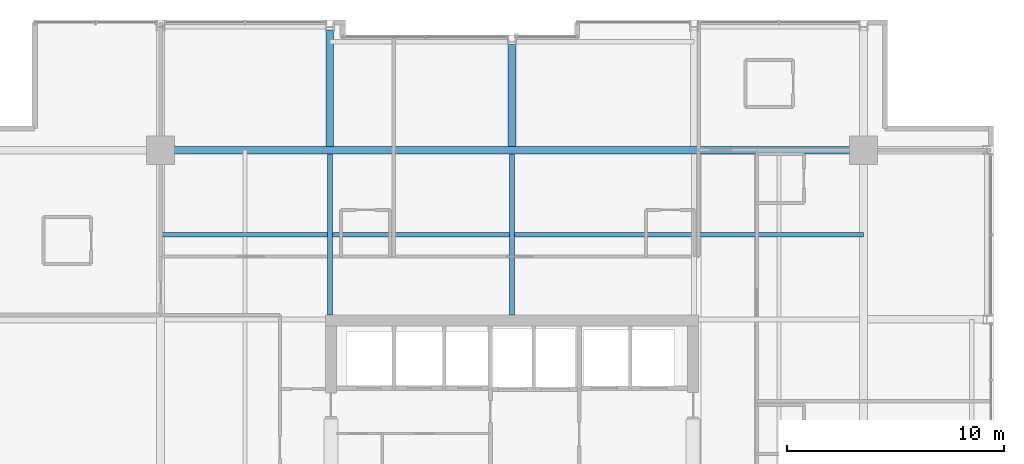
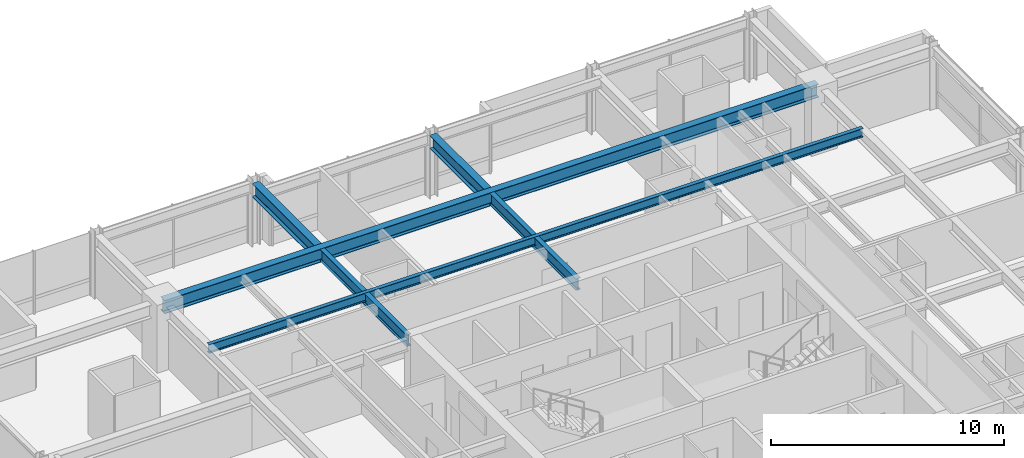
# One storey, part 20 of 33: 6 beams.
"""IFC4 building model written with IfcOpenShell, lengths in metres."""

from ifc_helpers import new_model, si_unit, direction, frame, origin, origin_2d, place, context, subcontext, project, spatial, i_section, extrude, material, material_profile, profile_set, type_object, element, save


model = new_model("IFC4")

# Units and contexts
model_context = context("Model", 3, precision=1e-05, world=origin(), true_north=direction((0.0, 1.0)))
body_context = subcontext(model_context, "Body", "Model", "MODEL_VIEW")
ifc_project = project(units=[si_unit("LENGTHUNIT", "METRE"), si_unit("AREAUNIT", "SQUARE_METRE"), si_unit("VOLUMEUNIT", "CUBIC_METRE"), si_unit("PLANEANGLEUNIT", "RADIAN"), si_unit("MASSUNIT", "GRAM", prefix="KILO")], contexts=[model_context])

# Site, building, storey
site_placement = place(None, origin())
site = spatial("IfcSite", under=ifc_project, at=site_placement, CompositionType="ELEMENT")
building_placement = place(site_placement, origin())
building = spatial("IfcBuilding", under=site, at=building_placement, Name="Drelvath Grand Hotel", CompositionType="ELEMENT")
storey_placement = place(building_placement, frame((0.0, 0.0, 161.050048828125)))
storey = spatial("IfcBuildingStorey", under=building, at=storey_placement, Name="L41", CompositionType="ELEMENT", Elevation=161.050048828125)

# Beams
ifc_material = material(Name="Steel ASTM A992 Gr 50", Category="steel")
ifc_material_profile_1 = material_profile(ifc_material, i_section(OverallWidth=0.19140625, OverallDepth=0.4599609375, WebThickness=0.010009765625, FlangeThickness=0.01611328125, FilletRadius=0.01611328125, at=origin_2d()), Name="W18X55")
ifc_profile_set_1 = profile_set([ifc_material_profile_1], Name="Steel ASTM A992 Gr 50")
beam_type_1 = type_object("IfcBeamType", Name="Composite Floor Joist W18X55", PredefinedType="JOIST", material=ifc_profile_set_1)
beam_1_placement = place(storey_placement, frame((-16.199951171875, 39.300048828125, 3.06005859375), z_axis=(1.0, 0.0, 0.0), x_axis=(0.0, 1.0, 0.0)))
element("IfcBeam", 1, at=beam_1_placement, inside=storey, type_object=beam_type_1, Name="L41 Floor Joist J2", PredefinedType="JOIST", context=body_context, shape_type="SweptSolid", body=[
    extrude(i_section(OverallWidth=0.19140625, OverallDepth=0.4599609375, WebThickness=0.010009765625, FlangeThickness=0.01611328125, FilletRadius=0.01611328125, at=origin_2d()), origin(), (0.0, 0.0, 1.0), 32.39990234375),
])
ifc_material_profile_2 = material_profile(ifc_material, i_section(OverallWidth=0.228271484375, OverallDepth=0.607666015625, WebThickness=0.01123046875, FlangeThickness=0.017333984375, FilletRadius=0.02001953125, at=origin_2d()), Name="W24X76")
ifc_profile_set_2 = profile_set([ifc_material_profile_2], Name="Steel ASTM A992 Gr 50")
beam_type_2 = type_object("IfcBeamType", Name="Primary Floor Girder W24X76", PredefinedType="BEAM", material=ifc_profile_set_2)
for number, where, z_axis, x_axis, name in (
    (2, (-8.39990234375, 35.60009765625, 2.986083984375), (0.0, 1.0, 0.0), (-1.0, 0.0, 0.0), "L41 North Core Tie 4"),
    (3, (0.0, 35.60009765625, 2.986083984375), (0.0, 1.0, 0.0), (-1.0, 0.0, 0.0), "L41 North Core Tie 5"),
):
    element("IfcBeam", number, at=place(storey_placement, frame(where, z_axis=z_axis, x_axis=x_axis)), inside=storey, type_object=beam_type_2, Name=name, PredefinedType="BEAM", context=body_context, shape_type="SweptSolid", body=[
        extrude(i_section(OverallWidth=0.228271484375, OverallDepth=0.607666015625, WebThickness=0.01123046875, FlangeThickness=0.017333984375, FilletRadius=0.02001953125, at=origin_2d()), origin(), (0.0, 0.0, 1.0), 7.422607421875),
    ])
ifc_material_profile_3 = material_profile(ifc_material, i_section(OverallWidth=0.354736328125, OverallDepth=0.695556640625, WebThickness=0.015380859375, FlangeThickness=0.025146484375, FilletRadius=0.02392578125, at=origin_2d()), Name="W27X146")
ifc_profile_set_3 = profile_set([ifc_material_profile_3], Name="Steel ASTM A992 Gr 50")
beam_type_3 = type_object("IfcBeamType", Name="Primary Floor Girder W27X146", PredefinedType="BEAM", material=ifc_profile_set_3)
beam_2_placement = place(storey_placement, frame((-16.199951171875, 43.199951171875, 2.942138671875), z_axis=(1.0, 0.0, 0.0), x_axis=(0.0, 1.0, 0.0)))
element("IfcBeam", 4, at=beam_2_placement, inside=storey, type_object=beam_type_3, Name="L41 Mega Ring Girder North", PredefinedType="BEAM", context=body_context, shape_type="SweptSolid", body=[
    extrude(i_section(OverallWidth=0.354736328125, OverallDepth=0.695556640625, WebThickness=0.015380859375, FlangeThickness=0.025146484375, FilletRadius=0.02392578125, at=origin_2d()), origin(), (0.0, 0.0, 1.0), 32.39990234375),
])
beam_3_placement = place(storey_placement, frame((-8.39990234375, 43.37744140625, 2.942138671875), z_axis=(0.0, 1.0, 0.0), x_axis=(-1.0, 0.0, 0.0)))
element("IfcBeam", 5, at=beam_3_placement, inside=storey, type_object=beam_type_3, Name="L41 North Wing Girder 4", PredefinedType="BEAM", context=body_context, shape_type="SweptSolid", body=[
    extrude(i_section(OverallWidth=0.354736328125, OverallDepth=0.695556640625, WebThickness=0.015380859375, FlangeThickness=0.025146484375, FilletRadius=0.02392578125, at=origin_2d()), origin(), (0.0, 0.0, 1.0), 5.362548828125),
])
beam_4_placement = place(storey_placement, frame((0.0, 43.37744140625, 2.942138671875), z_axis=(0.0, 1.0, 0.0), x_axis=(-1.0, 0.0, 0.0)))
element("IfcBeam", 6, at=beam_4_placement, inside=storey, type_object=beam_type_3, Name="L41 North Wing Girder 5", PredefinedType="BEAM", context=body_context, shape_type="SweptSolid", body=[
    extrude(i_section(OverallWidth=0.354736328125, OverallDepth=0.695556640625, WebThickness=0.015380859375, FlangeThickness=0.025146484375, FilletRadius=0.02392578125, at=origin_2d()), origin(), (0.0, 0.0, 1.0), 4.6826171875),
])

save(model, "model.ifc")
